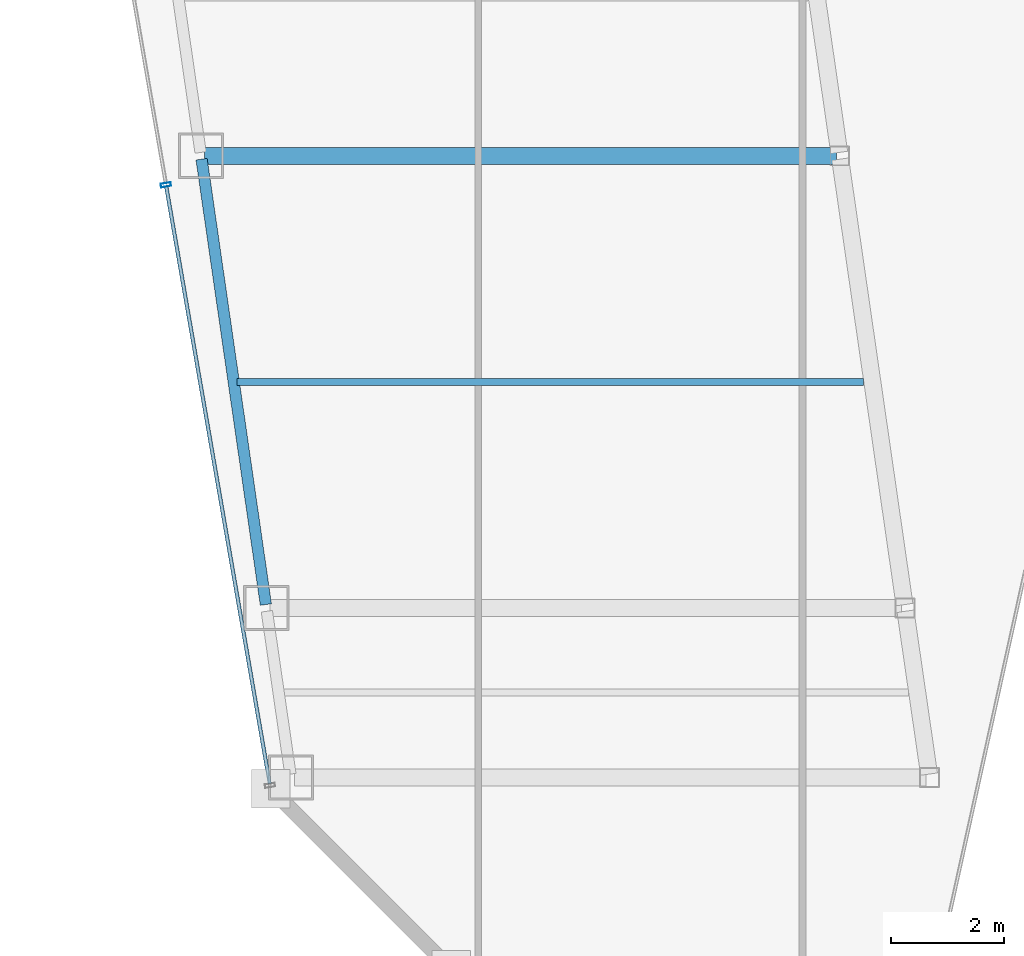
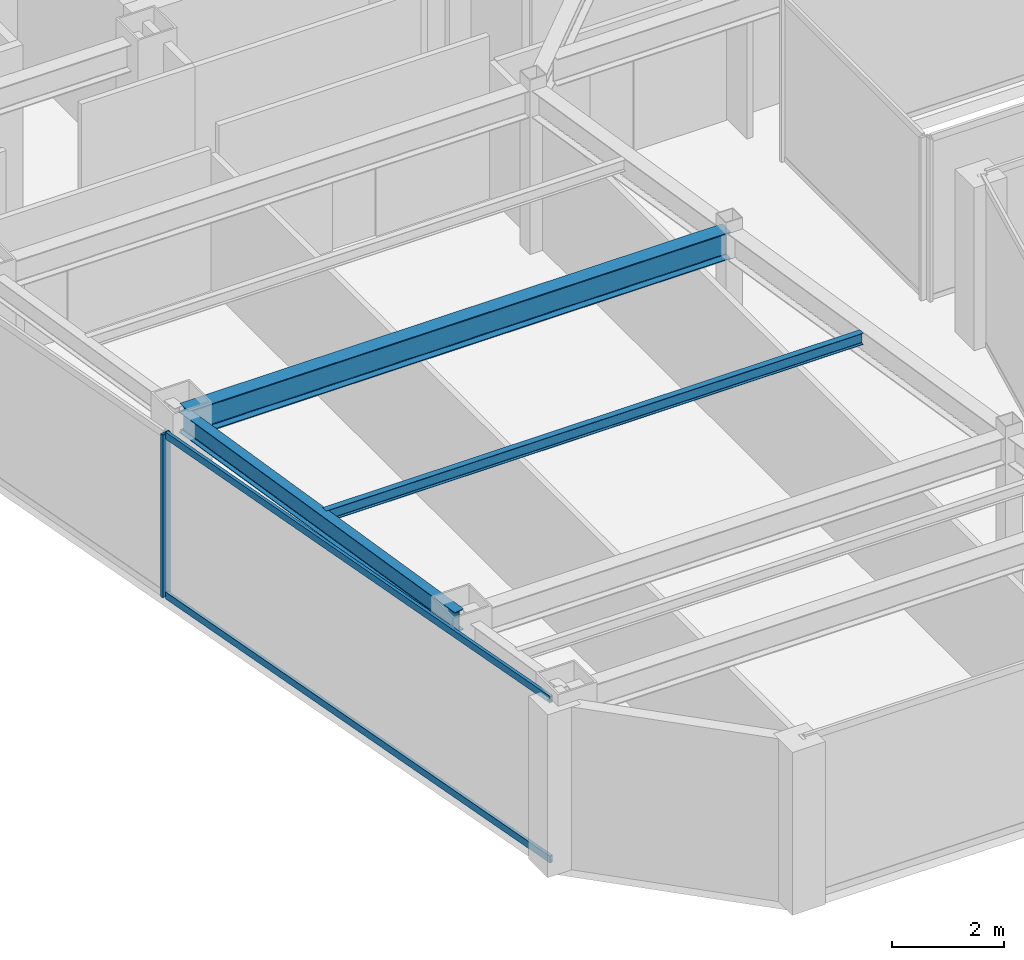
# One storey, part 4 of 32: 3 beams, 3 members, 1 element without a shape of its own.
"""IFC4 building model written with IfcOpenShell, lengths in metres."""

from ifc_helpers import new_model, si_unit, direction, frame, origin, origin_2d, place, context, subcontext, project, spatial, hollow_rectangle, i_section, extrude, material, material_profile, profile_set, type_object, element, aggregate, save


model = new_model("IFC4")

# Units and contexts
model_context = context("Model", 3, precision=1e-05, world=origin(), true_north=direction((0.0, 1.0)))
body_context = subcontext(model_context, "Body", "Model", "MODEL_VIEW")
ifc_project = project(units=[si_unit("LENGTHUNIT", "METRE"), si_unit("AREAUNIT", "SQUARE_METRE"), si_unit("VOLUMEUNIT", "CUBIC_METRE"), si_unit("PLANEANGLEUNIT", "RADIAN"), si_unit("MASSUNIT", "GRAM", prefix="KILO")], contexts=[model_context])

# Site, building, storey
site_placement = place(None, origin())
site = spatial("IfcSite", under=ifc_project, at=site_placement, CompositionType="ELEMENT")
building_placement = place(site_placement, origin())
building = spatial("IfcBuilding", under=site, at=building_placement, Name="Saevonmaru Cultural Tower", CompositionType="ELEMENT")
storey_placement = place(building_placement, frame((0.0, 0.0, 242.0)))
storey = spatial("IfcBuildingStorey", under=building, at=storey_placement, Name="L56", CompositionType="ELEMENT", Elevation=242.0)

# Beams
ifc_material_1 = material(Name="Steel SM355", Category="steel")
ifc_material_profile_1 = material_profile(ifc_material_1, i_section(OverallWidth=0.300048828125, OverallDepth=0.587890625, WebThickness=0.011962890625, FlangeThickness=0.02001953125, FilletRadius=0.02392578125, at=origin_2d()), Name="H-588x300x12x20")
ifc_profile_set_1 = profile_set([ifc_material_profile_1], Name="Steel SM355")
beam_type_1 = type_object("IfcBeamType", Name="BM-G-H588", PredefinedType="BEAM", material=ifc_profile_set_1)
beam_1_placement = place(storey_placement, frame((8.376953125, 32.0, 3.256103515625), z_axis=(1.0, 0.0, 0.0), x_axis=(0.0, 1.0, 0.0)))
element("IfcBeam", 1, at=beam_1_placement, inside=storey, type_object=beam_type_1, Name="L56 West Wing Transverse Girder 3", PredefinedType="BEAM", context=body_context, shape_type="SweptSolid", body=[
    extrude(i_section(OverallWidth=0.300048828125, OverallDepth=0.587890625, WebThickness=0.011962890625, FlangeThickness=0.02001953125, FilletRadius=0.02392578125, at=origin_2d()), origin(), (0.0, 0.0, 1.0), 11.179931640625),
])
ifc_material_profile_2 = material_profile(ifc_material_1, i_section(OverallWidth=0.125, OverallDepth=0.25, WebThickness=0.006103515625, FlangeThickness=0.009033203125, FilletRadius=0.008056640625, at=origin_2d()), Name="H-250x125x6x9")
ifc_profile_set_2 = profile_set([ifc_material_profile_2], Name="Steel SM355")
beam_type_2 = type_object("IfcBeamType", Name="BM-J-H250", PredefinedType="JOIST", material=ifc_profile_set_2)
beam_2_placement = place(storey_placement, frame((8.95458984375, 28.0, 3.425048828125), z_axis=(1.0, 0.0, 0.0), x_axis=(0.0, 1.0, 0.0)))
element("IfcBeam", 2, at=beam_2_placement, inside=storey, type_object=beam_type_2, Name="L56 West Wing Floor Joist 2", PredefinedType="JOIST", context=body_context, shape_type="SweptSolid", body=[
    extrude(i_section(OverallWidth=0.125, OverallDepth=0.25, WebThickness=0.006103515625, FlangeThickness=0.009033203125, FilletRadius=0.008056640625, at=origin_2d()), origin(), (0.0, 0.0, 1.0), 11.08203125),
])
ifc_material_profile_3 = material_profile(ifc_material_1, i_section(OverallWidth=0.199951171875, OverallDepth=0.449951171875, WebThickness=0.009033203125, FlangeThickness=0.013916015625, FilletRadius=0.01806640625, at=origin_2d()), Name="H-450x200x9x14")
ifc_profile_set_3 = profile_set([ifc_material_profile_3], Name="Steel SM355")
beam_type_3 = type_object("IfcBeamType", Name="BM-SP-H450", PredefinedType="SPANDREL", material=ifc_profile_set_3)
beam_3_placement = place(storey_placement, frame((9.46337890625, 24.059326171875, 3.324951171875), z_axis=(-0.142871999001, 0.989741174197, 0.0), x_axis=(-0.989741174197, -0.142871999001, 0.0)))
element("IfcBeam", 3, at=beam_3_placement, inside=storey, type_object=beam_type_3, Name="L56 West Splayed Spandrel 2", PredefinedType="SPANDREL", context=body_context, shape_type="SweptSolid", body=[
    extrude(i_section(OverallWidth=0.199951171875, OverallDepth=0.449951171875, WebThickness=0.009033203125, FlangeThickness=0.013916015625, FilletRadius=0.01806640625, at=origin_2d()), origin(), (0.0, 0.0, 1.0), 7.963134765625),
])

# Curtain wall, members
ifc_material_2 = material(Name="Satin Bronze Anodised Aluminium", Category="aluminium")
curtain_wall_type = type_object("IfcCurtainWallType", Name="CW-TYP-B", PredefinedType="NOTDEFINED", material=ifc_material_2)
curtain_wall_placement = place(storey_placement, origin())
curtain_wall = element("IfcCurtainWall", 4, at=curtain_wall_placement, inside=storey, type_object=curtain_wall_type, Name="L56 Unitised Curtain Wall E12", PredefinedType="NOTDEFINED")
ifc_material_profile_4 = material_profile(ifc_material_2, hollow_rectangle(XDim=0.06494140625, YDim=0.179931640625, WallThickness=0.00390625, at=origin_2d()), Name="ALU-MULL-180x65x4")
ifc_profile_set_4 = profile_set([ifc_material_profile_4], Name="Satin Bronze Anodised Aluminium")
member_type_1 = type_object("IfcMemberType", Name="ML-CW-180x65", PredefinedType="MULLION", material=ifc_profile_set_4)
member_1_placement = place(storey_placement, frame((7.6943359375, 31.486328125, 0.0), z_axis=(0.0, 0.0, 1.0), x_axis=(0.170790369887, -0.985307388359, 0.0)))
member_1 = element("IfcMember", 5, at=member_1_placement, type_object=member_type_1, Name="CW-TW-L56-E12 mullion 3", PredefinedType="MULLION", context=body_context, shape_type="SweptSolid", body=[
    extrude(hollow_rectangle(XDim=0.06494140625, YDim=0.179931640625, WallThickness=0.00390625, at=origin_2d()), origin(), (0.0, 0.0, 1.0), 3.550048828125),
])
ifc_material_profile_5 = material_profile(ifc_material_2, hollow_rectangle(XDim=0.06494140625, YDim=0.14990234375, WallThickness=0.00390625, at=origin_2d()), Name="ALU-TRAN-150x65x4")
ifc_profile_set_5 = profile_set([ifc_material_profile_5], Name="Satin Bronze Anodised Aluminium")
member_type_2 = type_object("IfcMemberType", Name="TR-CW-150x65", PredefinedType="USERDEFINED", material=ifc_profile_set_5)
member_2_placement = place(storey_placement, frame((7.699951171875, 31.454345703125, 0.032470703125), z_axis=(0.170795272137, -0.985306538604, 0.0), x_axis=(0.985306538604, 0.170795272137, 0.0)))
member_2 = element("IfcMember", 6, at=member_2_placement, type_object=member_type_2, Name="CW-TW-L56-E12 transom 3.1", ObjectType="TRANSOM", PredefinedType="USERDEFINED", context=body_context, shape_type="SweptSolid", body=[
    extrude(hollow_rectangle(XDim=0.06494140625, YDim=0.14990234375, WallThickness=0.00390625, at=origin_2d()), origin(), (0.0, 0.0, 1.0), 10.720703125),
])
member_3_placement = place(storey_placement, frame((7.699951171875, 31.454345703125, 3.517578125), z_axis=(0.170795272137, -0.985306538604, 0.0), x_axis=(0.985306538604, 0.170795272137, 0.0)))
member_3 = element("IfcMember", 7, at=member_3_placement, type_object=member_type_2, Name="CW-TW-L56-E12 transom 3.2", ObjectType="TRANSOM", PredefinedType="USERDEFINED", context=body_context, shape_type="SweptSolid", body=[
    extrude(hollow_rectangle(XDim=0.06494140625, YDim=0.14990234375, WallThickness=0.00390625, at=origin_2d()), origin(), (0.0, 0.0, 1.0), 10.720703125),
])
aggregate(curtain_wall, [member_1, member_2, member_3])

save(model, "model.ifc")
